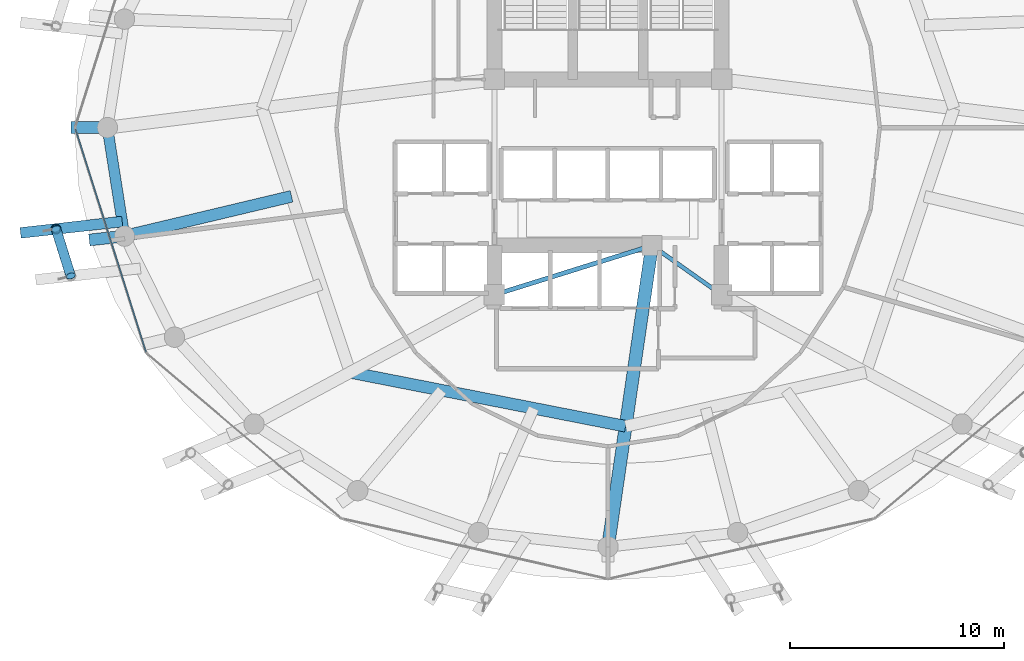
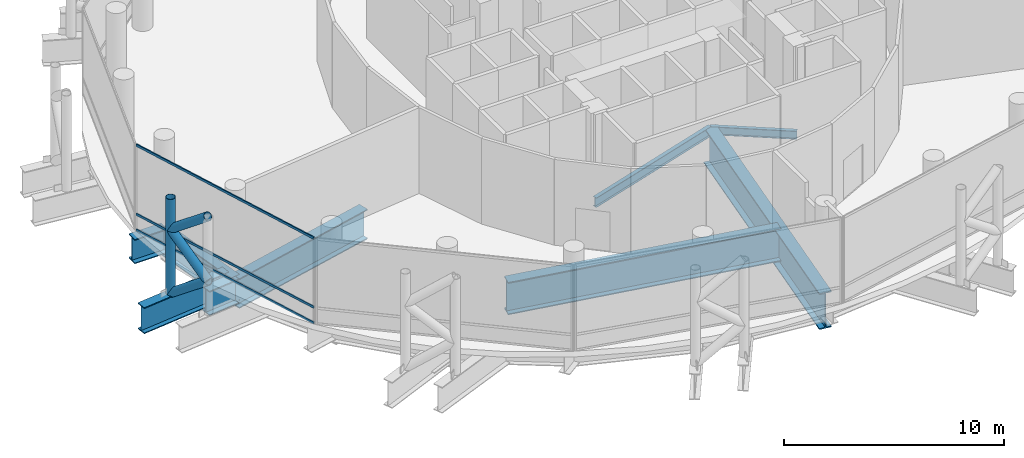
# One storey, part 5 of 29: 9 beams, 7 members, 1 element without a shape of its own.
"""IFC4 building model written with IfcOpenShell, lengths in metres."""

import ifcopenshell
import ifcopenshell.guid

model = None  # the IFC model being written
_history = None  # IfcOwnerHistory: only IFC2X3 demands one
_inside = {}  # id of a spatial element -> (the spatial element, [elements in it])
_under = {}  # id of a project, library or spatial element -> (it, [spatial elements below it])
_declared = {}  # id of a project -> (the project, [libraries it declares])
_typed = {}  # id of a type object -> (the type object, [elements of that type])
_made_of = {}  # id of a material, layer set ... -> (it, [elements and type objects made of it])


def new_model(schema):
    """Start an empty IFC model of exactly this schema.

    Asked for "IFC4X3", IfcOpenShell would pick the latest addendum, in which some entities
    have other attributes; the version numbers below select the first issue.
    IFC2X3 requires an IfcOwnerHistory on every rooted entity: one is made here for all.
    """
    global model, _history
    if schema == "IFC4X3":
        model = ifcopenshell.file(schema_version=(4, 3, 0, 0))
    else:
        model = ifcopenshell.file(schema=schema)
    _inside.clear()
    _under.clear()
    _declared.clear()
    _typed.clear()
    _made_of.clear()
    _history = None
    if model.schema == "IFC2X3":
        org = make("IfcOrganization", Name="unknown")
        user = make(
            "IfcPersonAndOrganization",
            ThePerson=make("IfcPerson", FamilyName="unknown"),
            TheOrganization=org,
        )
        app = make(
            "IfcApplication",
            ApplicationDeveloper=org,
            Version="unknown",
            ApplicationFullName="unknown",
            ApplicationIdentifier="unknown",
        )
        _history = make(
            "IfcOwnerHistory",
            OwningUser=user,
            OwningApplication=app,
            ChangeAction="ADDED",
            CreationDate=0,
        )
    return model


def make(cls, **values):
    """One entity of the class cls with the attributes given. An attribute that is None is left unset."""
    return model.create_entity(
        cls, **{name: value for name, value in values.items() if value is not None}
    )


def rooted(cls, **values):
    """An entity with a GlobalId (a new one), such as an element, a storey or a relation."""
    return make(cls, GlobalId=ifcopenshell.guid.new(), OwnerHistory=_history, **values)


def si_unit(unit_type, name, prefix=None):
    """IfcSIUnit, for example si_unit("LENGTHUNIT", "METRE", prefix="MILLI")."""
    return make("IfcSIUnit", UnitType=unit_type, Prefix=prefix, Name=name)


def assignment(units):
    """IfcUnitAssignment: the units of a project."""
    return None if units is None else make("IfcUnitAssignment", Units=units)


def point(xyz):
    """IfcCartesianPoint."""
    return None if xyz is None else make("IfcCartesianPoint", Coordinates=xyz)


def direction(xyz):
    """IfcDirection."""
    return None if xyz is None else make("IfcDirection", DirectionRatios=xyz)


def frame(location, z_axis=None, x_axis=None):
    """IfcAxis2Placement3D, a coordinate frame: its origin and axes. An axis left out is left unset."""
    return make(
        "IfcAxis2Placement3D",
        Location=point(location),
        Axis=direction(z_axis),
        RefDirection=direction(x_axis),
    )


def frame_2d(location, x_axis=None):
    """IfcAxis2Placement2D, a coordinate frame in the plane: its origin and x axis."""
    return make(
        "IfcAxis2Placement2D", Location=point(location), RefDirection=direction(x_axis)
    )


def origin():
    """The frame at (0, 0, 0) with its axes left unset."""
    return frame((0.0, 0.0, 0.0))


def origin_2d():
    """The frame at (0, 0) in the plane with its x axis left unset."""
    return frame_2d((0.0, 0.0))


def place(relative_to, where):
    """IfcLocalPlacement: puts the frame where relative to a parent placement (None: the world)."""
    return make(
        "IfcLocalPlacement", PlacementRelTo=relative_to, RelativePlacement=where
    )


def context(
    kind, dimensions, precision=None, world=None, true_north=None, identifier=None
):
    """IfcGeometricRepresentationContext, for example the 3D "Model" context."""
    return make(
        "IfcGeometricRepresentationContext",
        ContextIdentifier=identifier,
        ContextType=kind,
        CoordinateSpaceDimension=dimensions,
        Precision=precision,
        WorldCoordinateSystem=world,
        TrueNorth=true_north,
    )


def subcontext(parent, identifier, kind, view, scale=None):
    """IfcGeometricRepresentationSubContext, for example "Body" below "Model"."""
    return make(
        "IfcGeometricRepresentationSubContext",
        ContextIdentifier=identifier,
        ContextType=kind,
        ParentContext=parent,
        TargetScale=scale,
        TargetView=view,
    )


def project(units=None, contexts=None):
    """IfcProject with its units and contexts."""
    return rooted(
        "IfcProject",
        Name="project",
        RepresentationContexts=contexts,
        UnitsInContext=assignment(units),
    )


def spatial(cls, under=None, at=None, **own):
    """A site, building, storey or space (cls), placed at a placement, below another one or the project."""
    s = rooted(cls, ObjectPlacement=at, **own)
    if under is not None:
        _under.setdefault(under.id(), (under, []))[1].append(s)
    return s


def profile(cls, at=None, kind="AREA", **sizes):
    """A parametric profile (cls). Its sizes go by their IFC names, for example OverallWidth=200.0."""
    return make(cls, ProfileType=kind, Position=at, **sizes)


def hollow_rectangle(**sizes):
    """IfcRectangleHollowProfileDef."""
    return profile("IfcRectangleHollowProfileDef", **sizes)


def hollow_circle(**sizes):
    """IfcCircleHollowProfileDef."""
    return profile("IfcCircleHollowProfileDef", **sizes)


def i_section(**sizes):
    """IfcIShapeProfileDef."""
    return profile("IfcIShapeProfileDef", **sizes)


def extrude(swept, where, along, depth):
    """IfcExtrudedAreaSolid: the profile swept, set in the frame where, extruded along a direction by depth."""
    return make(
        "IfcExtrudedAreaSolid",
        SweptArea=swept,
        Position=where,
        ExtrudedDirection=direction(along),
        Depth=depth,
    )


def shape(context_of_items, identifier, shape_type, items):
    """IfcShapeRepresentation: the items that make up one representation, for example the "Body"."""
    return make(
        "IfcShapeRepresentation",
        ContextOfItems=context_of_items,
        RepresentationIdentifier=identifier,
        RepresentationType=shape_type,
        Items=items,
    )


def material(Name=None, Category=None):
    """IfcMaterial."""
    return make("IfcMaterial", Name=Name, Category=Category)


def layer(
    of_material, thickness, ventilated=None, Name=None, Category=None, Priority=None
):
    """IfcMaterialLayer: one layer of a wall or slab, of a material (None: an air gap)."""
    return make(
        "IfcMaterialLayer",
        Material=of_material,
        LayerThickness=thickness,
        IsVentilated=ventilated,
        Name=Name,
        Category=Category,
        Priority=Priority,
    )


def layer_set(layers, Name=None):
    """IfcMaterialLayerSet."""
    return make("IfcMaterialLayerSet", MaterialLayers=layers, LayerSetName=Name)


def material_profile(
    of_material, cross_section, Name=None, Category=None, Priority=None
):
    """IfcMaterialProfile: a cross section and its material."""
    return make(
        "IfcMaterialProfile",
        Name=Name,
        Material=of_material,
        Profile=cross_section,
        Priority=Priority,
        Category=Category,
    )


def profile_set(profiles, Name=None, composite=None):
    """IfcMaterialProfileSet."""
    return make(
        "IfcMaterialProfileSet",
        Name=Name,
        MaterialProfiles=profiles,
        CompositeProfile=composite,
    )


def made_of(thing, what):
    """Note that an element or type object is made of a material, layer set ...; save() writes the relation."""
    if what is not None:
        _made_of.setdefault(what.id(), (what, []))[1].append(thing)
    return thing


def type_object(cls, material=None, **own):
    """A type object (cls), such as IfcWallType, which elements share."""
    return made_of(rooted(cls, **own), material)


def element(
    cls,
    number,
    at=None,
    inside=None,
    cuts=None,
    type_object=None,
    material=None,
    context=None,
    identifier="Body",
    shape_type=None,
    held_by="IfcProductDefinitionShape",
    body=None,
    shapes=None,
    **own,
):
    """One element of the class cls, such as IfcWall. Its Tag is "e" and its number.

    at: its placement. inside: the storey or other place that contains it. cuts: it is an
    opening in that element (IfcRelVoidsElement). A single representation is given by context,
    identifier, shape_type and body (its items); several are given by shapes. held_by: the class
    of the entity that holds the representations. save() writes the other relations.
    """
    e = rooted(cls, Tag="e%d" % number, ObjectPlacement=at, **own)
    if body is not None:
        shapes = [shape(context, identifier, shape_type, body)]
    if shapes is not None:
        e.Representation = make(held_by, Representations=shapes)
    if inside is not None:
        _inside.setdefault(inside.id(), (inside, []))[1].append(e)
    if cuts is not None:
        rooted(
            "IfcRelVoidsElement", RelatingBuildingElement=cuts, RelatedOpeningElement=e
        )
    if type_object is not None:
        _typed.setdefault(type_object.id(), (type_object, []))[1].append(e)
    return made_of(e, material)


def aggregate(whole, parts):
    """IfcRelAggregates: a whole, such as a stair, and the parts it consists of."""
    return rooted("IfcRelAggregates", RelatingObject=whole, RelatedObjects=parts)


def save(model, path):
    """Write the relations noted so far, then the file.

    IfcRelAggregates (storeys below a building ...), IfcRelContainedInSpatialStructure (elements
    in a storey), IfcRelDefinesByType, IfcRelAssociatesMaterial and IfcRelDeclares: one each for
    every whole, place, type object, material and project.
    """
    for whole, parts in _under.values():
        aggregate(whole, parts)
    for where, things in _inside.values():
        rooted(
            "IfcRelContainedInSpatialStructure",
            RelatedElements=things,
            RelatingStructure=where,
        )
    for kind, things in _typed.values():
        rooted("IfcRelDefinesByType", RelatedObjects=things, RelatingType=kind)
    for what, things in _made_of.values():
        rooted("IfcRelAssociatesMaterial", RelatedObjects=things, RelatingMaterial=what)
    for by, libraries in _declared.values():
        rooted("IfcRelDeclares", RelatingContext=by, RelatedDefinitions=libraries)
    model.write(path)


model = new_model("IFC4")

# Units and contexts
model_context = context("Model", 3, precision=1e-05, world=origin(), true_north=direction((0.0, 1.0)))
body_context = subcontext(model_context, "Body", "Model", "MODEL_VIEW")
ifc_project = project(units=[si_unit("LENGTHUNIT", "METRE"), si_unit("AREAUNIT", "SQUARE_METRE"), si_unit("VOLUMEUNIT", "CUBIC_METRE"), si_unit("PLANEANGLEUNIT", "RADIAN"), si_unit("MASSUNIT", "GRAM", prefix="KILO")], contexts=[model_context])

# Site, building, storey
site_placement = place(None, origin())
site = spatial("IfcSite", under=ifc_project, at=site_placement, CompositionType="ELEMENT")
building_placement = place(site_placement, origin())
building = spatial("IfcBuilding", under=site, at=building_placement, Name="Nuhasar Tower", CompositionType="ELEMENT")
storey_placement = place(building_placement, frame((0.0, 0.0, 113.25)))
storey = spatial("IfcBuildingStorey", under=building, at=storey_placement, Name="L26", CompositionType="ELEMENT", Elevation=113.25)

# Beams
ifc_material_1 = material(Name="Steel S355", Category="steel")
ifc_material_profile_1 = material_profile(ifc_material_1, i_section(OverallWidth=0.18994140625, OverallDepth=0.45703125, WebThickness=0.009033203125, FlangeThickness=0.014404296875, at=origin_2d()), Name="W18X50")
ifc_profile_set_1 = profile_set([ifc_material_profile_1], Name="Steel S355")
beam_type_1 = type_object("IfcBeamType", Name="BM-RAD-W18X50", PredefinedType="BEAM", material=ifc_profile_set_1)
beam_1_placement = place(storey_placement, frame((41.050048828125, 21.300048828125, -0.548095703125), z_axis=(0.816265428953, -0.577677028708, 0.0), x_axis=(0.577677028708, 0.816265428953, 0.0)))
element("IfcBeam", 1, at=beam_1_placement, inside=storey, type_object=beam_type_1, Name="L26 Core Ring Girder 2", PredefinedType="BEAM", context=body_context, shape_type="SweptSolid", body=[
    extrude(i_section(OverallWidth=0.18994140625, OverallDepth=0.45703125, WebThickness=0.009033203125, FlangeThickness=0.014404296875, at=origin_2d()), origin(), (0.0, 0.0, 1.0), 3.9814453125),
])
ifc_material_profile_2 = material_profile(ifc_material_1, i_section(OverallWidth=0.208984375, OverallDepth=0.532958984375, WebThickness=0.01025390625, FlangeThickness=0.015625, at=origin_2d()), Name="W21X62")
ifc_profile_set_2 = profile_set([ifc_material_profile_2], Name="Steel S355")
beam_type_2 = type_object("IfcBeamType", Name="BM-RAD-W21X62", PredefinedType="BEAM", material=ifc_profile_set_2)
beam_2_placement = place(storey_placement, frame((33.699951171875, 19.0, -0.5859375), z_axis=(0.954363709454, 0.298646798205, 0.0), x_axis=(-0.298646798205, 0.954363709454, 0.0)))
element("IfcBeam", 2, at=beam_2_placement, inside=storey, type_object=beam_type_2, Name="L26 Core Ring Girder 1", PredefinedType="BEAM", context=body_context, shape_type="SweptSolid", body=[
    extrude(i_section(OverallWidth=0.208984375, OverallDepth=0.532958984375, WebThickness=0.01025390625, FlangeThickness=0.015625, at=origin_2d()), origin(), (0.0, 0.0, 1.0), 7.70166015625),
])
ifc_material_2 = material(Name="Steel S460", Category="steel")
ifc_material_profile_3 = material_profile(ifc_material_2, i_section(OverallWidth=0.550048828125, OverallDepth=1.35009765625, WebThickness=0.028076171875, FlangeThickness=0.050048828125, at=origin_2d()), Name="PG1350X550")
ifc_profile_set_3 = profile_set([ifc_material_profile_3], Name="Steel S460")
beam_type_3 = type_object("IfcBeamType", Name="BM-XFER-PG1350", PredefinedType="USERDEFINED", material=ifc_profile_set_3)
beam_3_placement = place(storey_placement, frame((15.64990234375, 26.800048828125, -0.9951171875), z_axis=(-1.0, 0.0, 0.0), x_axis=(0.0, -1.0, 0.0)))
element("IfcBeam", 3, at=beam_3_placement, inside=storey, type_object=beam_type_3, Name="L26 Radial Step Transfer Girder 08", ObjectType="GIRDER", PredefinedType="USERDEFINED", context=body_context, shape_type="SweptSolid", body=[
    extrude(i_section(OverallWidth=0.550048828125, OverallDepth=1.35009765625, WebThickness=0.028076171875, FlangeThickness=0.050048828125, at=origin_2d()), origin(), (0.0, 0.0, 1.0), 1.699951171875),
])
beam_4_placement = place(storey_placement, frame((16.446044921875, 21.739990234375, -0.9951171875), z_axis=(-0.99398603161, -0.109506935686, 0.0), x_axis=(0.109506935686, -0.99398603161, 0.0)))
element("IfcBeam", 4, at=beam_4_placement, inside=storey, type_object=beam_type_3, Name="L26 Outer Column Step Transfer Girder 14", ObjectType="GIRDER", PredefinedType="USERDEFINED", context=body_context, shape_type="SweptSolid", body=[
    extrude(i_section(OverallWidth=0.550048828125, OverallDepth=1.35009765625, WebThickness=0.028076171875, FlangeThickness=0.050048828125, at=origin_2d()), origin(), (0.0, 0.0, 1.0), 1.652099609375),
])
ifc_material_profile_4 = material_profile(ifc_material_2, i_section(OverallWidth=0.5, OverallDepth=1.449951171875, WebThickness=0.028076171875, FlangeThickness=0.050048828125, at=origin_2d()), Name="PG1450X500")
ifc_profile_set_4 = profile_set([ifc_material_profile_4], Name="Steel S460")
beam_type_4 = type_object("IfcBeamType", Name="BM-XFER-PG1450", PredefinedType="USERDEFINED", material=ifc_profile_set_4)
beam_5_placement = place(storey_placement, frame((15.64990234375, 26.800048828125, -1.044921875), z_axis=(0.155426543608, -0.987847452566, 0.0), x_axis=(0.987847452566, 0.155426543608, 0.0)))
element("IfcBeam", 5, at=beam_5_placement, inside=storey, type_object=beam_type_4, Name="L26 Perimeter Ring Spandrel 13", ObjectType="GIRDER", PredefinedType="USERDEFINED", context=body_context, shape_type="SweptSolid", body=[
    extrude(i_section(OverallWidth=0.5, OverallDepth=1.449951171875, WebThickness=0.028076171875, FlangeThickness=0.050048828125, at=origin_2d()), origin(), (0.0, 0.0, 1.0), 5.122314453125),
])
beam_6_placement = place(storey_placement, frame((16.339111328125, 22.41796875, -1.044921875), z_axis=(-0.993848718805, -0.11074621497, 0.0), x_axis=(0.11074621497, -0.993848718805, 0.0)))
element("IfcBeam", 6, at=beam_6_placement, inside=storey, type_object=beam_type_4, Name="L26 Exoskeleton Step Transfer Girder 13", ObjectType="GIRDER", PredefinedType="USERDEFINED", context=body_context, shape_type="SweptSolid", body=[
    extrude(i_section(OverallWidth=0.5, OverallDepth=1.449951171875, WebThickness=0.028076171875, FlangeThickness=0.050048828125, at=origin_2d()), origin(), (0.0, 0.0, 1.0), 4.768310546875),
])
ifc_material_profile_5 = material_profile(ifc_material_2, i_section(OverallWidth=0.550048828125, OverallDepth=1.64990234375, WebThickness=0.031982421875, FlangeThickness=0.054931640625, at=origin_2d()), Name="PG1650X550")
ifc_profile_set_5 = profile_set([ifc_material_profile_5], Name="Steel S460")
beam_type_5 = type_object("IfcBeamType", Name="BM-XFER-PG1650", PredefinedType="USERDEFINED", material=ifc_profile_set_5)
beam_7_placement = place(storey_placement, frame((24.238037109375, 23.594970703125, -1.14501953125), z_axis=(-0.972813409167, -0.231590308399, 0.0), x_axis=(0.231590308399, -0.972813409167, 0.0)))
element("IfcBeam", 7, at=beam_7_placement, inside=storey, type_object=beam_type_5, Name="L26 Inner Column Transfer Girder 14", ObjectType="GIRDER", PredefinedType="USERDEFINED", context=body_context, shape_type="SweptSolid", body=[
    extrude(i_section(OverallWidth=0.550048828125, OverallDepth=1.64990234375, WebThickness=0.031982421875, FlangeThickness=0.054931640625, at=origin_2d()), origin(), (0.0, 0.0, 1.0), 8.009765625),
])
ifc_material_profile_6 = material_profile(ifc_material_2, i_section(OverallWidth=0.550048828125, OverallDepth=1.800048828125, WebThickness=0.031982421875, FlangeThickness=0.054931640625, at=origin_2d()), Name="PG1800X550")
ifc_profile_set_6 = profile_set([ifc_material_profile_6], Name="Steel S460")
beam_type_6 = type_object("IfcBeamType", Name="BM-XFER-PG1800", PredefinedType="USERDEFINED", material=ifc_profile_set_6)
beam_8_placement = place(storey_placement, frame((26.972900390625, 15.385986328125, -1.219970703125), z_axis=(0.981359637088, -0.192180286956, 0.0), x_axis=(0.192180286956, 0.981359637088, 0.0)))
element("IfcBeam", 8, at=beam_8_placement, inside=storey, type_object=beam_type_6, Name="L26 Inner Header Beam 01", ObjectType="GIRDER", PredefinedType="USERDEFINED", context=body_context, shape_type="SweptSolid", body=[
    extrude(i_section(OverallWidth=0.550048828125, OverallDepth=1.800048828125, WebThickness=0.031982421875, FlangeThickness=0.054931640625, at=origin_2d()), origin(), (0.0, 0.0, 1.0), 13.09130859375),
])
ifc_material_profile_7 = material_profile(ifc_material_2, i_section(OverallWidth=0.60009765625, OverallDepth=2.0, WebThickness=0.035888671875, FlangeThickness=0.06005859375, at=origin_2d()), Name="PG2000X600")
ifc_profile_set_7 = profile_set([ifc_material_profile_7], Name="Steel S460")
beam_type_7 = type_object("IfcBeamType", Name="BM-XFER-PG2000", PredefinedType="USERDEFINED", material=ifc_profile_set_7)
beam_9_placement = place(storey_placement, frame((41.050048828125, 21.300048828125, -1.320068359375), z_axis=(-0.144381604017, -0.989522082837, 0.0), x_axis=(0.989522082837, -0.144381604017, 0.0)))
element("IfcBeam", 9, at=beam_9_placement, inside=storey, type_object=beam_type_7, Name="L26 Radial Floor Girder 02", ObjectType="GIRDER", PredefinedType="USERDEFINED", context=body_context, shape_type="SweptSolid", body=[
    extrude(i_section(OverallWidth=0.60009765625, OverallDepth=2.0, WebThickness=0.035888671875, FlangeThickness=0.06005859375, at=origin_2d()), origin(), (0.0, 0.0, 1.0), 14.19873046875),
])

# Curtain wall, members
ifc_material_3 = material(Name="Aluminium 6063-T6", Category="aluminium")
ifc_layer = layer(ifc_material_3, 0.239990234375)
ifc_layer_set = layer_set([ifc_layer], Name="Aluminium 6063-T6")
curtain_wall_type = type_object("IfcCurtainWallType", Name="CW-SKY-LBY", PredefinedType="NOTDEFINED", material=ifc_layer_set)
curtain_wall_placement = place(storey_placement, origin())
curtain_wall = element("IfcCurtainWall", 10, at=curtain_wall_placement, inside=storey, type_object=curtain_wall_type, Name="L26 Unitised Curtain Wall 07", PredefinedType="NOTDEFINED")
ifc_material_profile_8 = material_profile(ifc_material_3, hollow_rectangle(XDim=0.06005859375, YDim=0.1298828125, WallThickness=0.00439453125, at=origin_2d()), Name="CWT-6")
ifc_profile_set_8 = profile_set([ifc_material_profile_8], Name="Aluminium 6063-T6")
member_type_1 = type_object("IfcMemberType", Name="CW-TRN-S6", PredefinedType="USERDEFINED", material=ifc_profile_set_8)
member_1_placement = place(storey_placement, frame((14.158203125, 26.74267578125, 0.030029296875), z_axis=(0.301594460874, -0.95343630158, 0.0), x_axis=(0.95343630158, 0.301594460874, 0.0)))
member_1 = element("IfcMember", 11, at=member_1_placement, type_object=member_type_1, Name="CW-SL transom 1.1", ObjectType="TRANSOM", PredefinedType="USERDEFINED", context=body_context, shape_type="SweptSolid", body=[
    extrude(hollow_rectangle(XDim=0.06005859375, YDim=0.1298828125, WallThickness=0.00439453125, at=origin_2d()), origin(), (0.0, 0.0, 1.0), 10.92431640625),
])
member_2_placement = place(storey_placement, frame((14.158203125, 26.74267578125, 0.89990234375), z_axis=(0.301594460874, -0.95343630158, 0.0), x_axis=(0.95343630158, 0.301594460874, 0.0)))
member_2 = element("IfcMember", 12, at=member_2_placement, type_object=member_type_1, Name="CW-SL transom 1.2", ObjectType="TRANSOM", PredefinedType="USERDEFINED", context=body_context, shape_type="SweptSolid", body=[
    extrude(hollow_rectangle(XDim=0.06005859375, YDim=0.1298828125, WallThickness=0.00439453125, at=origin_2d()), origin(), (0.0, 0.0, 1.0), 10.92431640625),
])
member_3_placement = place(storey_placement, frame((14.158203125, 26.74267578125, 4.719970703125), z_axis=(0.301594460874, -0.95343630158, 0.0), x_axis=(0.95343630158, 0.301594460874, 0.0)))
member_3 = element("IfcMember", 13, at=member_3_placement, type_object=member_type_1, Name="CW-SL transom 1.3", ObjectType="TRANSOM", PredefinedType="USERDEFINED", context=body_context, shape_type="SweptSolid", body=[
    extrude(hollow_rectangle(XDim=0.06005859375, YDim=0.1298828125, WallThickness=0.00439453125, at=origin_2d()), origin(), (0.0, 0.0, 1.0), 10.92431640625),
])
aggregate(curtain_wall, [member_1, member_2, member_3])

# Members
ifc_material_profile_9 = material_profile(ifc_material_2, hollow_circle(Radius=0.228515625, WallThickness=0.022216796875, at=origin_2d()), Name="HSS457X22.2")
ifc_profile_set_9 = profile_set([ifc_material_profile_9], Name="Steel S460")
member_type_2 = type_object("IfcMemberType", Name="EXO-BRONZE-457", PredefinedType="BRACE", material=ifc_profile_set_9)
member_4_placement = place(storey_placement, frame((13.251953125, 22.073974609375, -0.320068359375), z_axis=(0.0, 0.0, 1.0), x_axis=(1.0, 0.0, 0.0)))
element("IfcMember", 14, at=member_4_placement, inside=storey, type_object=member_type_2, Name="L26 Exoskeleton Chord Column EC-07A", PredefinedType="BRACE", context=body_context, shape_type="SweptSolid", body=[
    extrude(hollow_circle(Radius=0.228515625, WallThickness=0.022216796875, at=origin_2d()), origin(), (0.0, 0.0, 1.0), 5.320068359375),
])
member_5_placement = place(storey_placement, frame((13.251953125, 22.073974609375, -0.320068359375), z_axis=(0.236885483771, -0.755797510497, 0.610455068539), x_axis=(0.954228474306, 0.29907861646, 0.0)))
element("IfcMember", 15, at=member_5_placement, inside=storey, type_object=member_type_2, Name="L26 Bronze Diagrid Brace W1-07", PredefinedType="BRACE", context=body_context, shape_type="SweptSolid", body=[
    extrude(hollow_circle(Radius=0.228515625, WallThickness=0.022216796875, at=origin_2d()), origin(), (0.0, 0.0, 1.0), 2.904296875),
])
member_6_placement = place(storey_placement, frame((13.93994140625, 19.87890625, 1.452880859375), z_axis=(-0.236824706396, 0.755603596596, 0.610718644919), x_axis=(-0.954228474306, -0.29907861646, 0.0)))
element("IfcMember", 16, at=member_6_placement, inside=storey, type_object=member_type_2, Name="L26 Bronze Diagrid Brace W2-07", PredefinedType="BRACE", context=body_context, shape_type="SweptSolid", body=[
    extrude(hollow_circle(Radius=0.228515625, WallThickness=0.022216796875, at=origin_2d()), origin(), (0.0, 0.0, 1.0), 2.905029296875),
])
member_7_placement = place(storey_placement, frame((13.251953125, 22.073974609375, 3.22705078125), z_axis=(0.236885483771, -0.755797510497, 0.610455068539), x_axis=(0.954228474306, 0.29907861646, 0.0)))
element("IfcMember", 17, at=member_7_placement, inside=storey, type_object=member_type_2, Name="L26 Bronze Diagrid Brace W3-07", PredefinedType="BRACE", context=body_context, shape_type="SweptSolid", body=[
    extrude(hollow_circle(Radius=0.228515625, WallThickness=0.022216796875, at=origin_2d()), origin(), (0.0, 0.0, 1.0), 2.904296875),
])

save(model, "model.ifc")
